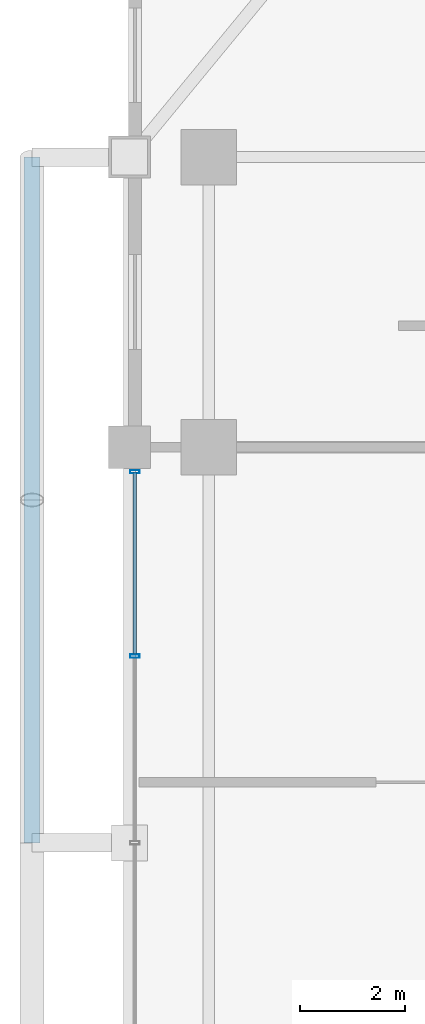
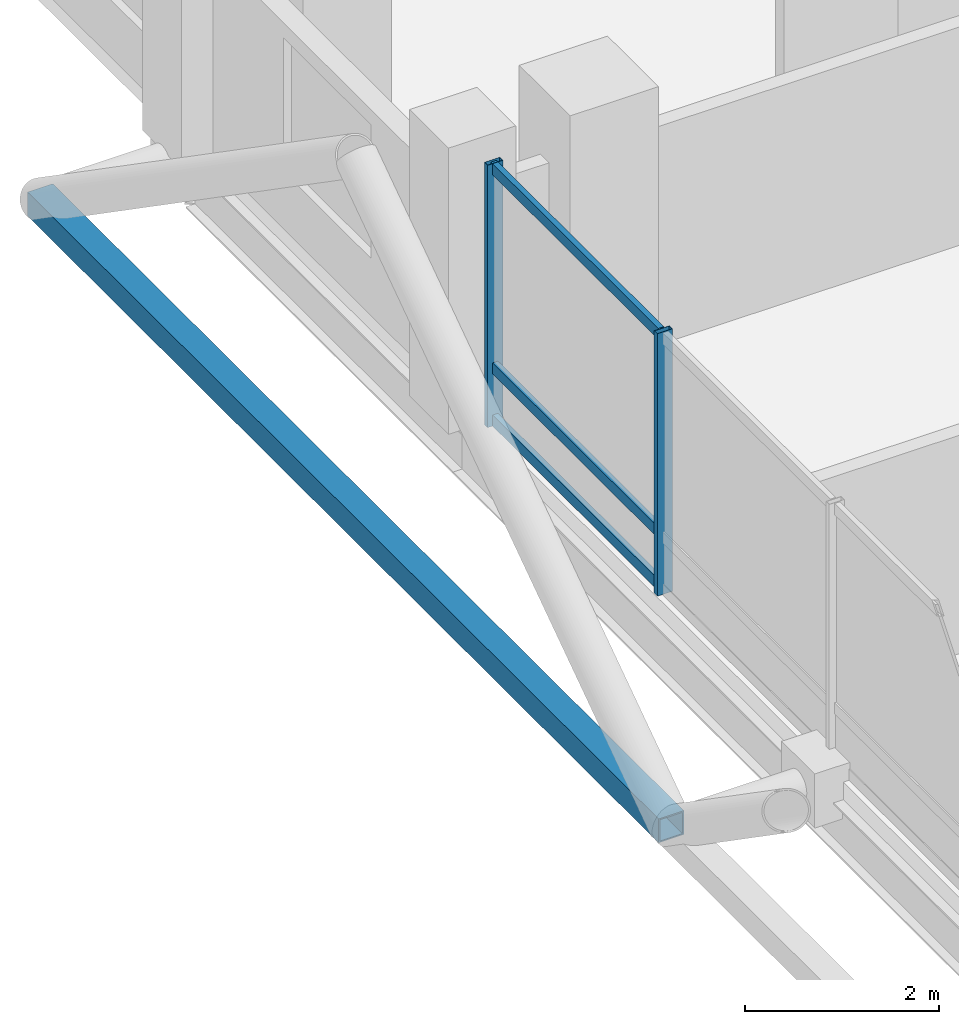
# One storey, part 9 of 25: 6 members, 1 element without a shape of its own.
"""IFC4 building model written with IfcOpenShell, lengths in metres."""

import ifcopenshell
import ifcopenshell.guid

model = None  # the IFC model being written
_history = None  # IfcOwnerHistory: only IFC2X3 demands one
_inside = {}  # id of a spatial element -> (the spatial element, [elements in it])
_under = {}  # id of a project, library or spatial element -> (it, [spatial elements below it])
_declared = {}  # id of a project -> (the project, [libraries it declares])
_typed = {}  # id of a type object -> (the type object, [elements of that type])
_made_of = {}  # id of a material, layer set ... -> (it, [elements and type objects made of it])


def new_model(schema):
    """Start an empty IFC model of exactly this schema.

    Asked for "IFC4X3", IfcOpenShell would pick the latest addendum, in which some entities
    have other attributes; the version numbers below select the first issue.
    IFC2X3 requires an IfcOwnerHistory on every rooted entity: one is made here for all.
    """
    global model, _history
    if schema == "IFC4X3":
        model = ifcopenshell.file(schema_version=(4, 3, 0, 0))
    else:
        model = ifcopenshell.file(schema=schema)
    _inside.clear()
    _under.clear()
    _declared.clear()
    _typed.clear()
    _made_of.clear()
    _history = None
    if model.schema == "IFC2X3":
        org = make("IfcOrganization", Name="unknown")
        user = make(
            "IfcPersonAndOrganization",
            ThePerson=make("IfcPerson", FamilyName="unknown"),
            TheOrganization=org,
        )
        app = make(
            "IfcApplication",
            ApplicationDeveloper=org,
            Version="unknown",
            ApplicationFullName="unknown",
            ApplicationIdentifier="unknown",
        )
        _history = make(
            "IfcOwnerHistory",
            OwningUser=user,
            OwningApplication=app,
            ChangeAction="ADDED",
            CreationDate=0,
        )
    return model


def make(cls, **values):
    """One entity of the class cls with the attributes given. An attribute that is None is left unset."""
    return model.create_entity(
        cls, **{name: value for name, value in values.items() if value is not None}
    )


def rooted(cls, **values):
    """An entity with a GlobalId (a new one), such as an element, a storey or a relation."""
    return make(cls, GlobalId=ifcopenshell.guid.new(), OwnerHistory=_history, **values)


def si_unit(unit_type, name, prefix=None):
    """IfcSIUnit, for example si_unit("LENGTHUNIT", "METRE", prefix="MILLI")."""
    return make("IfcSIUnit", UnitType=unit_type, Prefix=prefix, Name=name)


def assignment(units):
    """IfcUnitAssignment: the units of a project."""
    return None if units is None else make("IfcUnitAssignment", Units=units)


def point(xyz):
    """IfcCartesianPoint."""
    return None if xyz is None else make("IfcCartesianPoint", Coordinates=xyz)


def direction(xyz):
    """IfcDirection."""
    return None if xyz is None else make("IfcDirection", DirectionRatios=xyz)


def frame(location, z_axis=None, x_axis=None):
    """IfcAxis2Placement3D, a coordinate frame: its origin and axes. An axis left out is left unset."""
    return make(
        "IfcAxis2Placement3D",
        Location=point(location),
        Axis=direction(z_axis),
        RefDirection=direction(x_axis),
    )


def frame_2d(location, x_axis=None):
    """IfcAxis2Placement2D, a coordinate frame in the plane: its origin and x axis."""
    return make(
        "IfcAxis2Placement2D", Location=point(location), RefDirection=direction(x_axis)
    )


def origin():
    """The frame at (0, 0, 0) with its axes left unset."""
    return frame((0.0, 0.0, 0.0))


def origin_2d():
    """The frame at (0, 0) in the plane with its x axis left unset."""
    return frame_2d((0.0, 0.0))


def place(relative_to, where):
    """IfcLocalPlacement: puts the frame where relative to a parent placement (None: the world)."""
    return make(
        "IfcLocalPlacement", PlacementRelTo=relative_to, RelativePlacement=where
    )


def context(
    kind, dimensions, precision=None, world=None, true_north=None, identifier=None
):
    """IfcGeometricRepresentationContext, for example the 3D "Model" context."""
    return make(
        "IfcGeometricRepresentationContext",
        ContextIdentifier=identifier,
        ContextType=kind,
        CoordinateSpaceDimension=dimensions,
        Precision=precision,
        WorldCoordinateSystem=world,
        TrueNorth=true_north,
    )


def subcontext(parent, identifier, kind, view, scale=None):
    """IfcGeometricRepresentationSubContext, for example "Body" below "Model"."""
    return make(
        "IfcGeometricRepresentationSubContext",
        ContextIdentifier=identifier,
        ContextType=kind,
        ParentContext=parent,
        TargetScale=scale,
        TargetView=view,
    )


def project(units=None, contexts=None):
    """IfcProject with its units and contexts."""
    return rooted(
        "IfcProject",
        Name="project",
        RepresentationContexts=contexts,
        UnitsInContext=assignment(units),
    )


def spatial(cls, under=None, at=None, **own):
    """A site, building, storey or space (cls), placed at a placement, below another one or the project."""
    s = rooted(cls, ObjectPlacement=at, **own)
    if under is not None:
        _under.setdefault(under.id(), (under, []))[1].append(s)
    return s


def profile(cls, at=None, kind="AREA", **sizes):
    """A parametric profile (cls). Its sizes go by their IFC names, for example OverallWidth=200.0."""
    return make(cls, ProfileType=kind, Position=at, **sizes)


def hollow_rectangle(**sizes):
    """IfcRectangleHollowProfileDef."""
    return profile("IfcRectangleHollowProfileDef", **sizes)


def extrude(swept, where, along, depth):
    """IfcExtrudedAreaSolid: the profile swept, set in the frame where, extruded along a direction by depth."""
    return make(
        "IfcExtrudedAreaSolid",
        SweptArea=swept,
        Position=where,
        ExtrudedDirection=direction(along),
        Depth=depth,
    )


def shape(context_of_items, identifier, shape_type, items):
    """IfcShapeRepresentation: the items that make up one representation, for example the "Body"."""
    return make(
        "IfcShapeRepresentation",
        ContextOfItems=context_of_items,
        RepresentationIdentifier=identifier,
        RepresentationType=shape_type,
        Items=items,
    )


def material(Name=None, Category=None):
    """IfcMaterial."""
    return make("IfcMaterial", Name=Name, Category=Category)


def layer(
    of_material, thickness, ventilated=None, Name=None, Category=None, Priority=None
):
    """IfcMaterialLayer: one layer of a wall or slab, of a material (None: an air gap)."""
    return make(
        "IfcMaterialLayer",
        Material=of_material,
        LayerThickness=thickness,
        IsVentilated=ventilated,
        Name=Name,
        Category=Category,
        Priority=Priority,
    )


def layer_set(layers, Name=None):
    """IfcMaterialLayerSet."""
    return make("IfcMaterialLayerSet", MaterialLayers=layers, LayerSetName=Name)


def material_profile(
    of_material, cross_section, Name=None, Category=None, Priority=None
):
    """IfcMaterialProfile: a cross section and its material."""
    return make(
        "IfcMaterialProfile",
        Name=Name,
        Material=of_material,
        Profile=cross_section,
        Priority=Priority,
        Category=Category,
    )


def profile_set(profiles, Name=None, composite=None):
    """IfcMaterialProfileSet."""
    return make(
        "IfcMaterialProfileSet",
        Name=Name,
        MaterialProfiles=profiles,
        CompositeProfile=composite,
    )


def made_of(thing, what):
    """Note that an element or type object is made of a material, layer set ...; save() writes the relation."""
    if what is not None:
        _made_of.setdefault(what.id(), (what, []))[1].append(thing)
    return thing


def type_object(cls, material=None, **own):
    """A type object (cls), such as IfcWallType, which elements share."""
    return made_of(rooted(cls, **own), material)


def element(
    cls,
    number,
    at=None,
    inside=None,
    cuts=None,
    type_object=None,
    material=None,
    context=None,
    identifier="Body",
    shape_type=None,
    held_by="IfcProductDefinitionShape",
    body=None,
    shapes=None,
    **own,
):
    """One element of the class cls, such as IfcWall. Its Tag is "e" and its number.

    at: its placement. inside: the storey or other place that contains it. cuts: it is an
    opening in that element (IfcRelVoidsElement). A single representation is given by context,
    identifier, shape_type and body (its items); several are given by shapes. held_by: the class
    of the entity that holds the representations. save() writes the other relations.
    """
    e = rooted(cls, Tag="e%d" % number, ObjectPlacement=at, **own)
    if body is not None:
        shapes = [shape(context, identifier, shape_type, body)]
    if shapes is not None:
        e.Representation = make(held_by, Representations=shapes)
    if inside is not None:
        _inside.setdefault(inside.id(), (inside, []))[1].append(e)
    if cuts is not None:
        rooted(
            "IfcRelVoidsElement", RelatingBuildingElement=cuts, RelatedOpeningElement=e
        )
    if type_object is not None:
        _typed.setdefault(type_object.id(), (type_object, []))[1].append(e)
    return made_of(e, material)


def aggregate(whole, parts):
    """IfcRelAggregates: a whole, such as a stair, and the parts it consists of."""
    return rooted("IfcRelAggregates", RelatingObject=whole, RelatedObjects=parts)


def save(model, path):
    """Write the relations noted so far, then the file.

    IfcRelAggregates (storeys below a building ...), IfcRelContainedInSpatialStructure (elements
    in a storey), IfcRelDefinesByType, IfcRelAssociatesMaterial and IfcRelDeclares: one each for
    every whole, place, type object, material and project.
    """
    for whole, parts in _under.values():
        aggregate(whole, parts)
    for where, things in _inside.values():
        rooted(
            "IfcRelContainedInSpatialStructure",
            RelatedElements=things,
            RelatingStructure=where,
        )
    for kind, things in _typed.values():
        rooted("IfcRelDefinesByType", RelatedObjects=things, RelatingType=kind)
    for what, things in _made_of.values():
        rooted("IfcRelAssociatesMaterial", RelatedObjects=things, RelatingMaterial=what)
    for by, libraries in _declared.values():
        rooted("IfcRelDeclares", RelatingContext=by, RelatedDefinitions=libraries)
    model.write(path)


model = new_model("IFC4")

# Units and contexts
model_context = context("Model", 3, precision=1e-05, world=origin(), true_north=direction((0.0, 1.0)))
body_context = subcontext(model_context, "Body", "Model", "MODEL_VIEW")
ifc_project = project(units=[si_unit("LENGTHUNIT", "METRE"), si_unit("AREAUNIT", "SQUARE_METRE"), si_unit("VOLUMEUNIT", "CUBIC_METRE"), si_unit("PLANEANGLEUNIT", "RADIAN"), si_unit("MASSUNIT", "GRAM", prefix="KILO")], contexts=[model_context])

# Site, building, storey
site_placement = place(None, origin())
site = spatial("IfcSite", under=ifc_project, at=site_placement, CompositionType="ELEMENT")
building_placement = place(site_placement, origin())
building = spatial("IfcBuilding", under=site, at=building_placement, Name="Barlavira Tower and Art Museum", CompositionType="ELEMENT")
storey_placement = place(building_placement, frame((0.0, 0.0, 208.800048828125)))
storey = spatial("IfcBuildingStorey", under=building, at=storey_placement, Name="L54", CompositionType="ELEMENT", Elevation=208.800048828125)

# Curtain wall, members
ifc_material_1 = material(Name="Low-iron coastal laminated glass", Category="glass")
ifc_layer = layer(ifc_material_1, 0.199951171875, Name="Low-iron coastal laminated glass")
ifc_layer_set = layer_set([ifc_layer], Name="Low-iron coastal laminated glass")
curtain_wall_type = type_object("IfcCurtainWallType", Name="Pale-Metal Unitised Curtain Wall Zone 3", PredefinedType="NOTDEFINED", material=ifc_layer_set)
curtain_wall_placement = place(storey_placement, origin())
curtain_wall = element("IfcCurtainWall", 1, at=curtain_wall_placement, inside=storey, type_object=curtain_wall_type, Name="L54 Curtain Wall CW3-L54-W-B3", PredefinedType="NOTDEFINED")
ifc_material_2 = material(Name="Pale anodised aluminium", Category="aluminium")
ifc_material_profile_1 = material_profile(ifc_material_2, hollow_rectangle(XDim=0.06494140625, YDim=0.179931640625, WallThickness=0.00390625, at=origin_2d()), Name="ALU-MULL 65x180x4")
ifc_profile_set_1 = profile_set([ifc_material_profile_1], Name="Pale anodised aluminium")
member_type_1 = type_object("IfcMemberType", Name="Curtain Wall Pale-Metal Mullion 65x180", PredefinedType="MULLION", material=ifc_profile_set_1)
member_1_placement = place(storey_placement, frame((-18.39990234375, 7.034912109375, 0.0), z_axis=(0.0, 0.0, 1.0), x_axis=(0.0, -1.0, 0.0)))
member_1 = element("IfcMember", 2, at=member_1_placement, type_object=member_type_1, Name="CW3-L54-W-B3 Mullion 0", PredefinedType="MULLION", context=body_context, shape_type="SweptSolid", body=[
    extrude(hollow_rectangle(XDim=0.06494140625, YDim=0.179931640625, WallThickness=0.00390625, at=origin_2d()), origin(), (0.0, 0.0, 1.0), 3.300048828125),
])
member_2_placement = place(storey_placement, frame((-18.39990234375, 3.5400390625, 0.0), z_axis=(0.0, 0.0, 1.0), x_axis=(0.0, -1.0, 0.0)))
member_2 = element("IfcMember", 3, at=member_2_placement, type_object=member_type_1, Name="CW3-L54-W-B3 Mullion 1", PredefinedType="MULLION", context=body_context, shape_type="SweptSolid", body=[
    extrude(hollow_rectangle(XDim=0.06494140625, YDim=0.179931640625, WallThickness=0.00390625, at=origin_2d()), origin(), (0.0, 0.0, 1.0), 3.300048828125),
])
ifc_material_profile_2 = material_profile(ifc_material_2, hollow_rectangle(XDim=0.06494140625, YDim=0.139892578125, WallThickness=0.00390625, at=origin_2d()), Name="ALU-TRAN 65x140x4")
ifc_profile_set_2 = profile_set([ifc_material_profile_2], Name="Pale anodised aluminium")
member_type_2 = type_object("IfcMemberType", Name="Curtain Wall Pale-Metal Transom 65x140", PredefinedType="USERDEFINED", material=ifc_profile_set_2)
member_3_placement = place(storey_placement, frame((-18.39990234375, 7.034912109375, 0.070068359375), z_axis=(0.0, -1.0, 0.0), x_axis=(1.0, 0.0, 0.0)))
member_3 = element("IfcMember", 4, at=member_3_placement, type_object=member_type_2, Name="CW3-L54-W-B3 Transom 0.1", ObjectType="TRANSOM", PredefinedType="USERDEFINED", context=body_context, shape_type="SweptSolid", body=[
    extrude(hollow_rectangle(XDim=0.06494140625, YDim=0.139892578125, WallThickness=0.00390625, at=origin_2d()), origin(), (0.0, 0.0, 1.0), 3.449951171875),
])
member_4_placement = place(storey_placement, frame((-18.39990234375, 7.034912109375, 0.725830078125), z_axis=(0.0, -1.0, 0.0), x_axis=(1.0, 0.0, 0.0)))
member_4 = element("IfcMember", 5, at=member_4_placement, type_object=member_type_2, Name="CW3-L54-W-B3 Transom 0.2", ObjectType="TRANSOM", PredefinedType="USERDEFINED", context=body_context, shape_type="SweptSolid", body=[
    extrude(hollow_rectangle(XDim=0.06494140625, YDim=0.139892578125, WallThickness=0.00390625, at=origin_2d()), origin(), (0.0, 0.0, 1.0), 3.449951171875),
])
member_5_placement = place(storey_placement, frame((-18.39990234375, 7.034912109375, 3.22998046875), z_axis=(0.0, -1.0, 0.0), x_axis=(1.0, 0.0, 0.0)))
member_5 = element("IfcMember", 6, at=member_5_placement, type_object=member_type_2, Name="CW3-L54-W-B3 Transom 0.3", ObjectType="TRANSOM", PredefinedType="USERDEFINED", context=body_context, shape_type="SweptSolid", body=[
    extrude(hollow_rectangle(XDim=0.06494140625, YDim=0.139892578125, WallThickness=0.00390625, at=origin_2d()), origin(), (0.0, 0.0, 1.0), 3.449951171875),
])
aggregate(curtain_wall, [member_1, member_2, member_3, member_4, member_5])

# Member
ifc_material_3 = material(Name="Steel S355", Category="steel")
ifc_material_profile_3 = material_profile(ifc_material_3, hollow_rectangle(XDim=0.300048828125, YDim=0.300048828125, WallThickness=0.01611328125, at=origin_2d()), Name="SHS 300x300x16.0")
ifc_profile_set_3 = profile_set([ifc_material_profile_3], Name="Steel S355")
member_type_3 = type_object("IfcMemberType", Name="Pale-Metal Upper Ring Strut SHS 300x300x16 Steel S355", PredefinedType="STRUT", material=ifc_profile_set_3)
member_6_placement = place(storey_placement, frame((-20.35009765625, 0.0, -0.1201171875), z_axis=(0.0, 1.0, 0.0), x_axis=(-1.0, 0.0, 0.0)))
element("IfcMember", 7, at=member_6_placement, inside=storey, type_object=member_type_3, Name="L54 Exoskeleton Ring Strut W", PredefinedType="STRUT", context=body_context, shape_type="SweptSolid", body=[
    extrude(hollow_rectangle(XDim=0.300048828125, YDim=0.300048828125, WallThickness=0.01611328125, at=origin_2d()), origin(), (0.0, 0.0, 1.0), 13.0),
])

save(model, "model.ifc")
